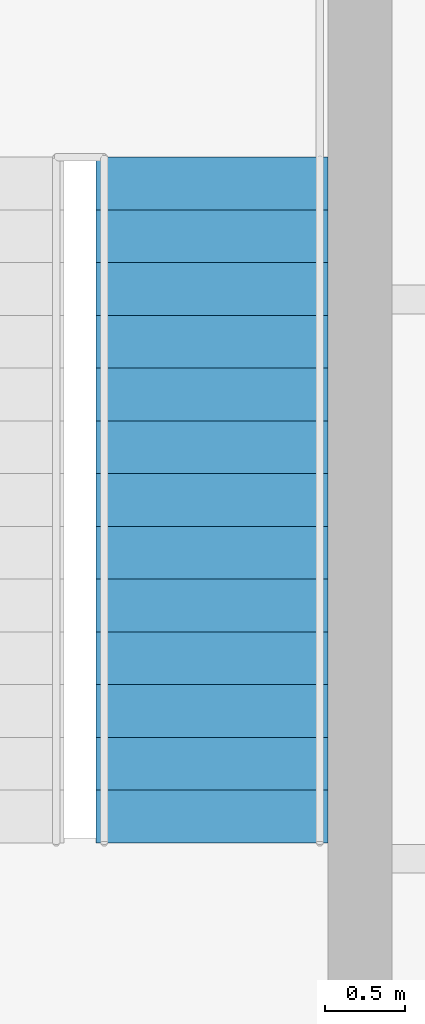
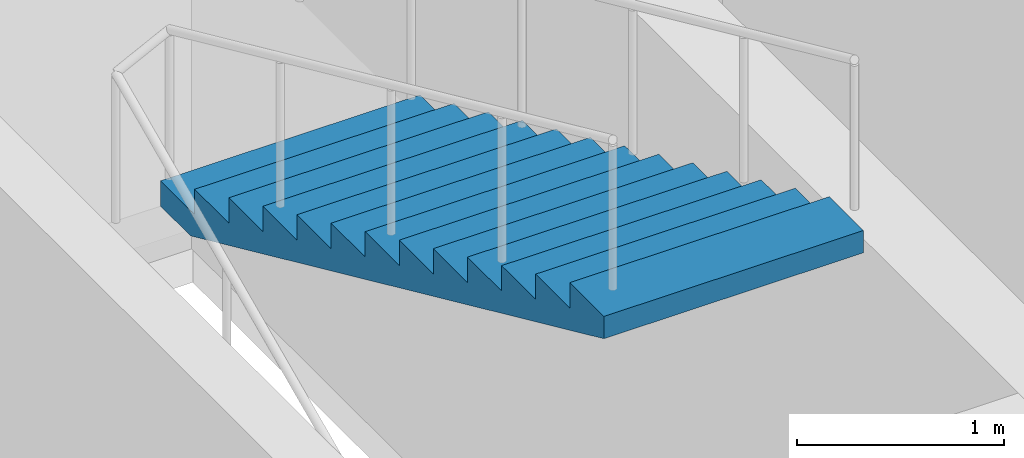
# One storey, part 10 of 11: 1 stair flight, 1 element without a shape of its own.
"""IFC4 building model written with IfcOpenShell, lengths in metres."""

from ifc_helpers import new_model, si_unit, direction, frame, origin, place, context, subcontext, project, spatial, polygons, material, type_object, element, aggregate, save


model = new_model("IFC4")

# Units and contexts
model_context = context("Model", 3, precision=1e-05, world=origin(), true_north=direction((0.0, 1.0)))
body_context = subcontext(model_context, "Body", "Model", "MODEL_VIEW")
ifc_project = project(units=[si_unit("LENGTHUNIT", "METRE"), si_unit("AREAUNIT", "SQUARE_METRE"), si_unit("VOLUMEUNIT", "CUBIC_METRE"), si_unit("PLANEANGLEUNIT", "RADIAN"), si_unit("MASSUNIT", "GRAM", prefix="KILO")], contexts=[model_context])

# Site, building, storey
site_placement = place(None, origin())
site = spatial("IfcSite", under=ifc_project, at=site_placement, CompositionType="ELEMENT")
building_placement = place(site_placement, origin())
building = spatial("IfcBuilding", under=site, at=building_placement, Name="Njiva Tower", CompositionType="ELEMENT")
storey_placement = place(building_placement, frame((0.0, 0.0, 312.6)))
storey = spatial("IfcBuildingStorey", under=building, at=storey_placement, Name="L71", CompositionType="ELEMENT", Elevation=312.6)

# Stair, stair flight
ifc_material = material(Name="Concrete C40/50", Category="concrete")
stair_type = type_object("IfcStairType", Name="ST3 Exit stair 1450", PredefinedType="HALF_TURN_STAIR", material=ifc_material)
stair_placement = place(storey_placement, origin())
stair = element("IfcStair", 1, at=stair_placement, inside=storey, type_object=stair_type, Name="Stair B", PredefinedType="HALF_TURN_STAIR")
stair_flight_type = type_object("IfcStairFlightType", Name="FL3 Stair flight 1450", PredefinedType="STRAIGHT", material=ifc_material)
stair_flight_placement = place(storey_placement, frame((13.375, 15.39, 2.1), z_axis=(0.0, 0.0, 1.0), x_axis=(0.0, -1.0, 0.0)))
stair_flight = element("IfcStairFlight", 2, at=stair_flight_placement, type_object=stair_flight_type, Name="ST-B flight 2", NumberOfRisers=14, NumberOfTreads=13, PredefinedType="STRAIGHT", RiserHeight=0.15, TreadLength=0.33, context=body_context, shape_type="Tessellation", body=[
    polygons([(0.0, 0.725, 0.0), (0.0, 0.3625, 0.0), (0.0, 0.0, 0.0), (0.0, -0.3625, 0.0), (0.0, -0.725, 0.0), (0.0, 0.725, 0.15), (0.0, 0.3625, 0.15), (0.0, 0.0, 0.15), (0.0, -0.3625, 0.15), (0.0, -0.725, 0.15), (0.33, 0.725, 0.15), (0.33, 0.3625, 0.15), (0.33, 0.0, 0.15), (0.33, -0.3625, 0.15), (0.33, -0.725, 0.15), (0.33, 0.725, 0.3), (0.33, 0.3625, 0.3), (0.33, 0.0, 0.3), (0.33, -0.3625, 0.3), (0.33, -0.725, 0.3), (0.66, 0.725, 0.3), (0.66, 0.3625, 0.3), (0.66, 0.0, 0.3), (0.66, -0.3625, 0.3), (0.66, -0.725, 0.3), (0.66, 0.725, 0.45), (0.66, 0.3625, 0.45), (0.66, 0.0, 0.45), (0.66, -0.3625, 0.45), (0.66, -0.725, 0.45), (0.99, 0.725, 0.45), (0.99, 0.3625, 0.45), (0.99, 0.0, 0.45), (0.99, -0.3625, 0.45), (0.99, -0.725, 0.45), (0.99, 0.725, 0.6), (0.99, 0.3625, 0.6), (0.99, 0.0, 0.6), (0.99, -0.3625, 0.6), (0.99, -0.725, 0.6), (1.32, 0.725, 0.6), (1.32, 0.3625, 0.6), (1.32, 0.0, 0.6), (1.32, -0.3625, 0.6), (1.32, -0.725, 0.6), (1.32, 0.725, 0.75), (1.32, 0.3625, 0.75), (1.32, 0.0, 0.75), (1.32, -0.3625, 0.75), (1.32, -0.725, 0.75), (1.65, 0.725, 0.75), (1.65, 0.3625, 0.75), (1.65, 0.0, 0.75), (1.65, -0.3625, 0.75), (1.65, -0.725, 0.75), (1.65, 0.725, 0.9), (1.65, 0.3625, 0.9), (1.65, 0.0, 0.9), (1.65, -0.3625, 0.9), (1.65, -0.725, 0.9), (1.98, 0.725, 0.9), (1.98, 0.3625, 0.9), (1.98, 0.0, 0.9), (1.98, -0.3625, 0.9), (1.98, -0.725, 0.9), (1.98, 0.725, 1.05), (1.98, 0.3625, 1.05), (1.98, 0.0, 1.05), (1.98, -0.3625, 1.05), (1.98, -0.725, 1.05), (2.31, 0.725, 1.05), (2.31, 0.3625, 1.05), (2.31, 0.0, 1.05), (2.31, -0.3625, 1.05), (2.31, -0.725, 1.05), (2.31, 0.725, 1.2), (2.31, 0.3625, 1.2), (2.31, 0.0, 1.2), (2.31, -0.3625, 1.2), (2.31, -0.725, 1.2), (2.64, 0.725, 1.2), (2.64, 0.3625, 1.2), (2.64, 0.0, 1.2), (2.64, -0.3625, 1.2), (2.64, -0.725, 1.2), (2.64, 0.725, 1.35), (2.64, 0.3625, 1.35), (2.64, 0.0, 1.35), (2.64, -0.3625, 1.35), (2.64, -0.725, 1.35), (2.97, 0.725, 1.35), (2.97, 0.3625, 1.35), (2.97, 0.0, 1.35), (2.97, -0.3625, 1.35), (2.97, -0.725, 1.35), (2.97, 0.725, 1.5), (2.97, 0.3625, 1.5), (2.97, 0.0, 1.5), (2.97, -0.3625, 1.5), (2.97, -0.725, 1.5), (3.3, 0.725, 1.5), (3.3, 0.3625, 1.5), (3.3, 0.0, 1.5), (3.3, -0.3625, 1.5), (3.3, -0.725, 1.5), (3.3, 0.725, 1.65), (3.3, 0.3625, 1.65), (3.3, 0.0, 1.65), (3.3, -0.3625, 1.65), (3.3, -0.725, 1.65), (3.63, 0.725, 1.65), (3.63, 0.3625, 1.65), (3.63, 0.0, 1.65), (3.63, -0.3625, 1.65), (3.63, -0.725, 1.65), (3.63, 0.725, 1.8), (3.63, 0.3625, 1.8), (3.63, 0.0, 1.8), (3.63, -0.3625, 1.8), (3.63, -0.725, 1.8), (3.96, 0.725, 1.8), (3.96, 0.3625, 1.8), (3.96, 0.0, 1.8), (3.96, -0.3625, 1.8), (3.96, -0.725, 1.8), (3.96, 0.725, 1.95), (3.96, 0.3625, 1.95), (3.96, 0.0, 1.95), (3.96, -0.3625, 1.95), (3.96, -0.725, 1.95), (4.29, 0.725, 1.95), (4.29, 0.3625, 1.95), (4.29, 0.0, 1.95), (4.29, -0.3625, 1.95), (4.29, -0.725, 1.95), (4.29, 0.725, 1.8182), (4.29, 0.3625, 1.8182), (4.29, 0.0, 1.8182), (4.29, -0.3625, 1.8182), (4.29, -0.725, 1.8182), (0.29, 0.725, 0.0), (0.29, 0.3625, 0.0), (0.29, 0.0, 0.0), (0.29, -0.3625, 0.0), (0.29, -0.725, 0.0)], [[[1, 6, 11, 16, 21, 26, 31, 36, 41, 46, 51, 56, 61, 66, 71, 76, 81, 86, 91, 96, 101, 106, 111, 116, 121, 126, 131, 136, 141]], [[145, 140, 135, 130, 125, 120, 115, 110, 105, 100, 95, 90, 85, 80, 75, 70, 65, 60, 55, 50, 45, 40, 35, 30, 25, 20, 15, 10, 5]], [[6, 1, 2, 7]], [[7, 2, 3, 8]], [[8, 3, 4, 9]], [[9, 4, 5, 10]], [[11, 6, 7, 12]], [[12, 7, 8, 13]], [[13, 8, 9, 14]], [[14, 9, 10, 15]], [[16, 11, 12, 17]], [[17, 12, 13, 18]], [[18, 13, 14, 19]], [[19, 14, 15, 20]], [[21, 16, 17, 22]], [[22, 17, 18, 23]], [[23, 18, 19, 24]], [[24, 19, 20, 25]], [[26, 21, 22, 27]], [[27, 22, 23, 28]], [[28, 23, 24, 29]], [[29, 24, 25, 30]], [[31, 26, 27, 32]], [[32, 27, 28, 33]], [[33, 28, 29, 34]], [[34, 29, 30, 35]], [[36, 31, 32, 37]], [[37, 32, 33, 38]], [[38, 33, 34, 39]], [[39, 34, 35, 40]], [[41, 36, 37, 42]], [[42, 37, 38, 43]], [[43, 38, 39, 44]], [[44, 39, 40, 45]], [[46, 41, 42, 47]], [[47, 42, 43, 48]], [[48, 43, 44, 49]], [[49, 44, 45, 50]], [[51, 46, 47, 52]], [[52, 47, 48, 53]], [[53, 48, 49, 54]], [[54, 49, 50, 55]], [[56, 51, 52, 57]], [[57, 52, 53, 58]], [[58, 53, 54, 59]], [[59, 54, 55, 60]], [[61, 56, 57, 62]], [[62, 57, 58, 63]], [[63, 58, 59, 64]], [[64, 59, 60, 65]], [[66, 61, 62, 67]], [[67, 62, 63, 68]], [[68, 63, 64, 69]], [[69, 64, 65, 70]], [[71, 66, 67, 72]], [[72, 67, 68, 73]], [[73, 68, 69, 74]], [[74, 69, 70, 75]], [[76, 71, 72, 77]], [[77, 72, 73, 78]], [[78, 73, 74, 79]], [[79, 74, 75, 80]], [[81, 76, 77, 82]], [[82, 77, 78, 83]], [[83, 78, 79, 84]], [[84, 79, 80, 85]], [[86, 81, 82, 87]], [[87, 82, 83, 88]], [[88, 83, 84, 89]], [[89, 84, 85, 90]], [[91, 86, 87, 92]], [[92, 87, 88, 93]], [[93, 88, 89, 94]], [[94, 89, 90, 95]], [[96, 91, 92, 97]], [[97, 92, 93, 98]], [[98, 93, 94, 99]], [[99, 94, 95, 100]], [[101, 96, 97, 102]], [[102, 97, 98, 103]], [[103, 98, 99, 104]], [[104, 99, 100, 105]], [[106, 101, 102, 107]], [[107, 102, 103, 108]], [[108, 103, 104, 109]], [[109, 104, 105, 110]], [[111, 106, 107, 112]], [[112, 107, 108, 113]], [[113, 108, 109, 114]], [[114, 109, 110, 115]], [[116, 111, 112, 117]], [[117, 112, 113, 118]], [[118, 113, 114, 119]], [[119, 114, 115, 120]], [[121, 116, 117, 122]], [[122, 117, 118, 123]], [[123, 118, 119, 124]], [[124, 119, 120, 125]], [[126, 121, 122, 127]], [[127, 122, 123, 128]], [[128, 123, 124, 129]], [[129, 124, 125, 130]], [[131, 126, 127, 132]], [[132, 127, 128, 133]], [[133, 128, 129, 134]], [[134, 129, 130, 135]], [[136, 131, 132, 137]], [[137, 132, 133, 138]], [[138, 133, 134, 139]], [[139, 134, 135, 140]], [[141, 136, 137, 142]], [[142, 137, 138, 143]], [[143, 138, 139, 144]], [[144, 139, 140, 145]], [[1, 141, 142, 2]], [[2, 142, 143, 3]], [[3, 143, 144, 4]], [[4, 144, 145, 5]]], closed=True),
])
aggregate(stair, [stair_flight])

save(model, "model.ifc")
